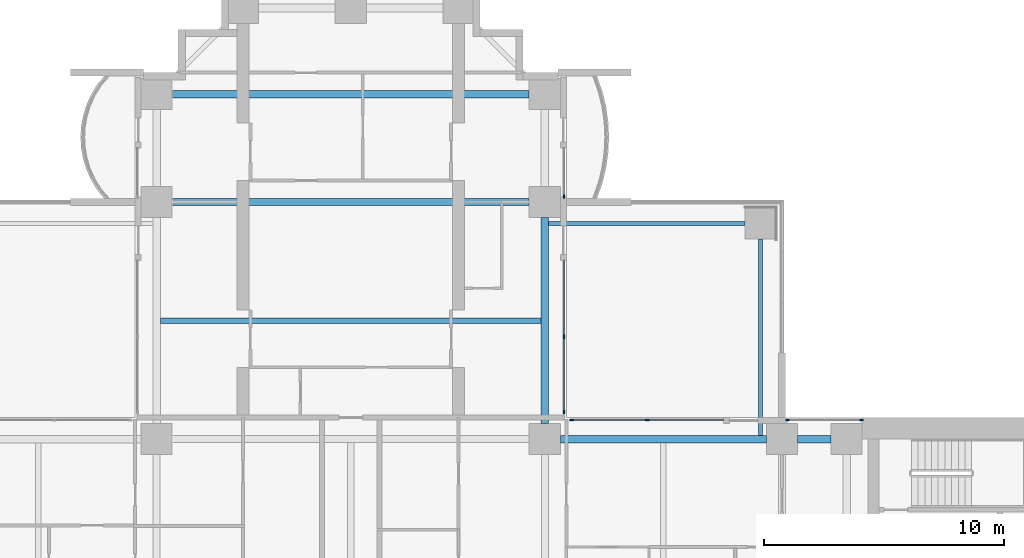
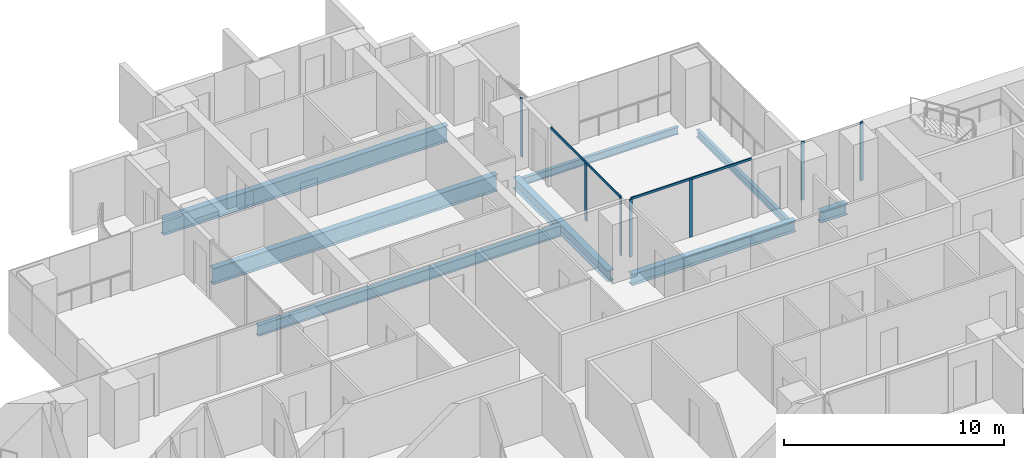
# One storey, part 6 of 20: 9 members, 8 beams, 4 elements without a shape of their own.
"""IFC4 building model written with IfcOpenShell, lengths in metres."""

from ifc_helpers import new_model, si_unit, direction, frame, origin, origin_2d, place, context, subcontext, project, spatial, rectangle, i_section, extrude, material, material_profile, profile_set, type_object, element, aggregate, save


model = new_model("IFC4")

# Units and contexts
model_context = context("Model", 3, precision=1e-05, world=origin(), true_north=direction((0.0, 1.0)))
body_context = subcontext(model_context, "Body", "Model", "MODEL_VIEW")
ifc_project = project(units=[si_unit("LENGTHUNIT", "METRE"), si_unit("AREAUNIT", "SQUARE_METRE"), si_unit("VOLUMEUNIT", "CUBIC_METRE"), si_unit("PLANEANGLEUNIT", "RADIAN"), si_unit("MASSUNIT", "GRAM", prefix="KILO")], contexts=[model_context])

# Site, building, storey
site_placement = place(None, origin())
site = spatial("IfcSite", under=ifc_project, at=site_placement, CompositionType="ELEMENT")
building_placement = place(site_placement, origin())
building = spatial("IfcBuilding", under=site, at=building_placement, Name="Perihelion Cross Residences", CompositionType="ELEMENT")
storey_placement = place(building_placement, frame((0.0, 0.0, 71.5)))
storey = spatial("IfcBuildingStorey", under=building, at=storey_placement, Name="L15", CompositionType="ELEMENT", Elevation=71.5)

# Curtain wall, members
ifc_material_1 = material(Name="Bronze anodised aluminium, tinted glazing", Category="aluminium")
curtain_wall_type = type_object("IfcCurtainWallType", Name="CW1", PredefinedType="NOTDEFINED", material=ifc_material_1)
curtain_wall_1_placement = place(storey_placement, origin())
curtain_wall_1 = element("IfcCurtainWall", 1, at=curtain_wall_1_placement, inside=storey, type_object=curtain_wall_type, Name="Curtain wall CW1 L15 east side north bay 1", PredefinedType="NOTDEFINED")
ifc_material_2 = material(Name="Bronze anodised aluminium", Category="aluminium")
ifc_material_profile_1 = material_profile(ifc_material_2, rectangle(XDim=0.06005859375, YDim=0.159912109375, at=origin_2d()), Name="CW1 mullion")
ifc_profile_set_1 = profile_set([ifc_material_profile_1], Name="Bronze anodised aluminium")
member_type_1 = type_object("IfcMemberType", Name="CW1 mullion", PredefinedType="MULLION", material=ifc_profile_set_1)
member_1_placement = place(storey_placement, frame((21.320068359375, 8.89990234375, 0.0), z_axis=(0.0, 0.0, 1.0), x_axis=(0.0, -1.0, 0.0)))
member_1 = element("IfcMember", 2, at=member_1_placement, type_object=member_type_1, Name="CW1 mullion 1", PredefinedType="MULLION", context=body_context, shape_type="SweptSolid", body=[
    extrude(rectangle(XDim=0.06005859375, YDim=0.159912109375, at=origin_2d()), origin(), (0.0, 0.0, 1.0), 3.25),
])
member_2_placement = place(storey_placement, frame((18.22998046875, 8.89990234375, 0.0), z_axis=(0.0, 0.0, 1.0), x_axis=(0.0, -1.0, 0.0)))
member_2 = element("IfcMember", 3, at=member_2_placement, type_object=member_type_1, Name="CW1 mullion 2", PredefinedType="MULLION", context=body_context, shape_type="SweptSolid", body=[
    extrude(rectangle(XDim=0.06005859375, YDim=0.159912109375, at=origin_2d()), origin(), (0.0, 0.0, 1.0), 3.25),
])
aggregate(curtain_wall_1, [member_1, member_2])

curtain_wall_2_placement = place(storey_placement, origin())
curtain_wall_2 = element("IfcCurtainWall", 4, at=curtain_wall_2_placement, inside=storey, type_object=curtain_wall_type, Name="Curtain wall CW1 L15 east side north bay 2", PredefinedType="NOTDEFINED")
member_3_placement = place(storey_placement, frame((12.375, 8.89990234375, 0.0), z_axis=(0.0, 0.0, 1.0), x_axis=(0.0, -1.0, 0.0)))
member_3 = element("IfcMember", 5, at=member_3_placement, type_object=member_type_1, Name="CW1 mullion 2", PredefinedType="MULLION", context=body_context, shape_type="SweptSolid", body=[
    extrude(rectangle(XDim=0.06005859375, YDim=0.159912109375, at=origin_2d()), origin(), (0.0, 0.0, 1.0), 3.18994140625),
])
member_4_placement = place(storey_placement, frame((9.22998046875, 8.89990234375, 0.0), z_axis=(0.0, 0.0, 1.0), x_axis=(0.0, -1.0, 0.0)))
member_4 = element("IfcMember", 6, at=member_4_placement, type_object=member_type_1, Name="CW1 mullion 3", PredefinedType="MULLION", context=body_context, shape_type="SweptSolid", body=[
    extrude(rectangle(XDim=0.06005859375, YDim=0.159912109375, at=origin_2d()), origin(), (0.0, 0.0, 1.0), 3.18994140625),
])

curtain_wall_3_placement = place(storey_placement, origin())
curtain_wall_3 = element("IfcCurtainWall", 7, at=curtain_wall_3_placement, inside=storey, type_object=curtain_wall_type, Name="Curtain wall CW1 L15 north side east bay 1", PredefinedType="NOTDEFINED")
member_5_placement = place(storey_placement, frame((8.89990234375, 9.22998046875, 0.0), z_axis=(0.0, 0.0, 1.0), x_axis=(-1.0, 0.0, 0.0)))
member_5 = element("IfcMember", 8, at=member_5_placement, type_object=member_type_1, Name="CW1 mullion 1", PredefinedType="MULLION", context=body_context, shape_type="SweptSolid", body=[
    extrude(rectangle(XDim=0.06005859375, YDim=0.159912109375, at=origin_2d()), origin(), (0.0, 0.0, 1.0), 3.18994140625),
])
member_6_placement = place(storey_placement, frame((8.89990234375, 12.375, 0.0), z_axis=(0.0, 0.0, 1.0), x_axis=(-1.0, 0.0, 0.0)))
member_6 = element("IfcMember", 9, at=member_6_placement, type_object=member_type_1, Name="CW1 mullion 2", PredefinedType="MULLION", context=body_context, shape_type="SweptSolid", body=[
    extrude(rectangle(XDim=0.06005859375, YDim=0.159912109375, at=origin_2d()), origin(), (0.0, 0.0, 1.0), 3.18994140625),
])

# Curtain wall, member
curtain_wall_4_placement = place(storey_placement, origin())
curtain_wall_4 = element("IfcCurtainWall", 10, at=curtain_wall_4_placement, inside=storey, type_object=curtain_wall_type, Name="Curtain wall CW1 L15 north side east bay 2", PredefinedType="NOTDEFINED")
member_7_placement = place(storey_placement, frame((8.89990234375, 18.22998046875, 0.0), z_axis=(0.0, 0.0, 1.0), x_axis=(-1.0, 0.0, 0.0)))
member_7 = element("IfcMember", 11, at=member_7_placement, type_object=member_type_1, Name="CW1 mullion 1", PredefinedType="MULLION", context=body_context, shape_type="SweptSolid", body=[
    extrude(rectangle(XDim=0.06005859375, YDim=0.159912109375, at=origin_2d()), origin(), (0.0, 0.0, 1.0), 3.25),
])
aggregate(curtain_wall_4, [member_7])

# Member
ifc_material_3 = material(Name="Bronze anodised aluminium", Category="aluminium")
ifc_material_profile_2 = material_profile(ifc_material_3, rectangle(XDim=0.06005859375, YDim=0.1201171875, at=origin_2d()), Name="CW1 transom")
ifc_profile_set_2 = profile_set([ifc_material_profile_2], Name="Bronze anodised aluminium")
member_type_2 = type_object("IfcMemberType", Name="CW1 transom", PredefinedType="USERDEFINED", material=ifc_profile_set_2)
member_8_placement = place(storey_placement, frame((15.550048828125, 8.89990234375, 3.219970703125), z_axis=(-1.0, 0.0, 0.0), x_axis=(0.0, -1.0, 0.0)))
member_8 = element("IfcMember", 12, at=member_8_placement, type_object=member_type_2, Name="CW1 head transom", ObjectType="TRANSOM", PredefinedType="USERDEFINED", context=body_context, shape_type="SweptSolid", body=[
    extrude(rectangle(XDim=0.06005859375, YDim=0.1201171875, at=origin_2d()), origin(), (0.0, 0.0, 1.0), 6.320068359375),
])

aggregate(curtain_wall_2, [member_3, member_4, member_8])

member_9_placement = place(storey_placement, frame((8.89990234375, 9.22998046875, 3.219970703125), z_axis=(0.0, 1.0, 0.0), x_axis=(-1.0, 0.0, 0.0)))
member_9 = element("IfcMember", 13, at=member_9_placement, type_object=member_type_2, Name="CW1 head transom", ObjectType="TRANSOM", PredefinedType="USERDEFINED", context=body_context, shape_type="SweptSolid", body=[
    extrude(rectangle(XDim=0.06005859375, YDim=0.1201171875, at=origin_2d()), origin(), (0.0, 0.0, 1.0), 6.320068359375),
])

aggregate(curtain_wall_3, [member_5, member_6, member_9])

# Beams
ifc_material_4 = material(Name="Steel S355", Category="steel")
ifc_material_profile_3 = material_profile(ifc_material_4, i_section(OverallWidth=0.177978515625, OverallDepth=0.406005859375, WebThickness=0.0078125, FlangeThickness=0.0126953125, at=origin_2d()), Name="W410x60")
ifc_profile_set_3 = profile_set([ifc_material_profile_3], Name="Steel S355")
beam_type_1 = type_object("IfcBeamType", Name="Core edge beam W410x60", PredefinedType="BEAM", material=ifc_profile_set_3)
for number, where, z_axis, x_axis, name in (
    (14, (17.10009765625, 8.262451171875, -0.452880859375), (0.0, 1.0, 0.0), (-1.0, 0.0, 0.0), "Core edge beam TB2 L15 corner no. 7"),
    (15, (8.262451171875, 17.10009765625, -0.452880859375), (1.0, 0.0, 0.0), (0.0, 1.0, 0.0), "Core edge beam TB2 L15 corner no. 8"),
):
    element("IfcBeam", number, at=place(storey_placement, frame(where, z_axis=z_axis, x_axis=x_axis)), inside=storey, type_object=beam_type_1, Name=name, PredefinedType="BEAM", context=body_context, shape_type="SweptSolid", body=[
        extrude(i_section(OverallWidth=0.177978515625, OverallDepth=0.406005859375, WebThickness=0.0078125, FlangeThickness=0.0126953125, at=origin_2d()), origin(), (0.0, 0.0, 1.0), 8.1875),
    ])
ifc_material_5 = material(Name="Steel S355", Category="steel")
ifc_material_profile_4 = material_profile(ifc_material_5, i_section(OverallWidth=0.324951171875, OverallDepth=0.616943359375, WebThickness=0.013916015625, FlangeThickness=0.021484375, at=origin_2d()), Name="W610x174")
ifc_profile_set_4 = profile_set([ifc_material_profile_4], Name="Steel S355")
beam_type_2 = type_object("IfcBeamType", Name="Edge beam W610x174", PredefinedType="SPANDREL", material=ifc_profile_set_4)
beam_1_placement = place(storey_placement, frame((20.050048828125, 8.10009765625, -0.55859375), z_axis=(-1.0, 0.0, 0.0), x_axis=(0.0, -1.0, 0.0)))
element("IfcBeam", 16, at=beam_1_placement, inside=storey, type_object=beam_type_2, Name="Edge beam SB2 L15 no. 14", PredefinedType="SPANDREL", context=body_context, shape_type="SweptSolid", body=[
    extrude(i_section(OverallWidth=0.324951171875, OverallDepth=0.616943359375, WebThickness=0.013916015625, FlangeThickness=0.021484375, at=origin_2d()), origin(), (0.0, 0.0, 1.0), 1.400146484375),
])
for number, where, z_axis, x_axis, name in (
    (17, (17.35009765625, 8.10009765625, -0.55859375), (-1.0, 0.0, 0.0), (0.0, -1.0, 0.0), "Edge beam SB2 L15 no. 13"),
    (18, (8.10009765625, 8.75, -0.55859375), (0.0, 1.0, 0.0), (-1.0, 0.0, 0.0), "Edge beam SB2 L15 no. 20"),
):
    element("IfcBeam", number, at=place(storey_placement, frame(where, z_axis=z_axis, x_axis=x_axis)), inside=storey, type_object=beam_type_2, Name=name, PredefinedType="SPANDREL", context=body_context, shape_type="SweptSolid", body=[
        extrude(i_section(OverallWidth=0.324951171875, OverallDepth=0.616943359375, WebThickness=0.013916015625, FlangeThickness=0.021484375, at=origin_2d()), origin(), (0.0, 0.0, 1.0), 8.60009765625),
    ])
ifc_material_6 = material(Name="Steel S355", Category="steel")
ifc_material_profile_5 = material_profile(ifc_material_6, i_section(OverallWidth=0.304931640625, OverallDepth=0.904052734375, WebThickness=0.01513671875, FlangeThickness=0.02001953125, at=origin_2d()), Name="W920x201")
ifc_profile_set_5 = profile_set([ifc_material_profile_5], Name="Steel S355")
beam_type_3 = type_object("IfcBeamType", Name="Floor girder W920x201", PredefinedType="BEAM", material=ifc_profile_set_5)
for number, where, z_axis, x_axis, name in (
    (19, (-7.449951171875, 18.0, -0.701904296875), (1.0, 0.0, 0.0), (0.0, 1.0, 0.0), "Girder G2 L15 no. 5"),
    (20, (-7.449951171875, 22.5, -0.701904296875), (1.0, 0.0, 0.0), (0.0, 1.0, 0.0), "Girder G2 L15 no. 6"),
):
    element("IfcBeam", number, at=place(storey_placement, frame(where, z_axis=z_axis, x_axis=x_axis)), inside=storey, type_object=beam_type_3, Name=name, PredefinedType="BEAM", context=body_context, shape_type="SweptSolid", body=[
        extrude(i_section(OverallWidth=0.304931640625, OverallDepth=0.904052734375, WebThickness=0.01513671875, FlangeThickness=0.02001953125, at=origin_2d()), origin(), (0.0, 0.0, 1.0), 14.89990234375),
    ])
ifc_material_7 = material(Name="Steel S355", Category="steel")
ifc_material_profile_6 = material_profile(ifc_material_7, i_section(OverallWidth=0.22900390625, OverallDepth=0.612060546875, WebThickness=0.011962890625, FlangeThickness=0.01953125, at=origin_2d()), Name="W610x125")
ifc_profile_set_6 = profile_set([ifc_material_profile_6], Name="Steel S355")
beam_type_4 = type_object("IfcBeamType", Name="Floor joist W610x125", PredefinedType="JOIST", material=ifc_profile_set_6)
beam_2_placement = place(storey_placement, frame((-7.9375, 13.050048828125, -0.555908203125), z_axis=(1.0, 0.0, 0.0), x_axis=(0.0, 1.0, 0.0)))
element("IfcBeam", 21, at=beam_2_placement, inside=storey, type_object=beam_type_4, Name="Joist J3 L15 no. 4", PredefinedType="JOIST", context=body_context, shape_type="SweptSolid", body=[
    extrude(i_section(OverallWidth=0.22900390625, OverallDepth=0.612060546875, WebThickness=0.011962890625, FlangeThickness=0.01953125, at=origin_2d()), origin(), (0.0, 0.0, 1.0), 15.875),
])

save(model, "model.ifc")
